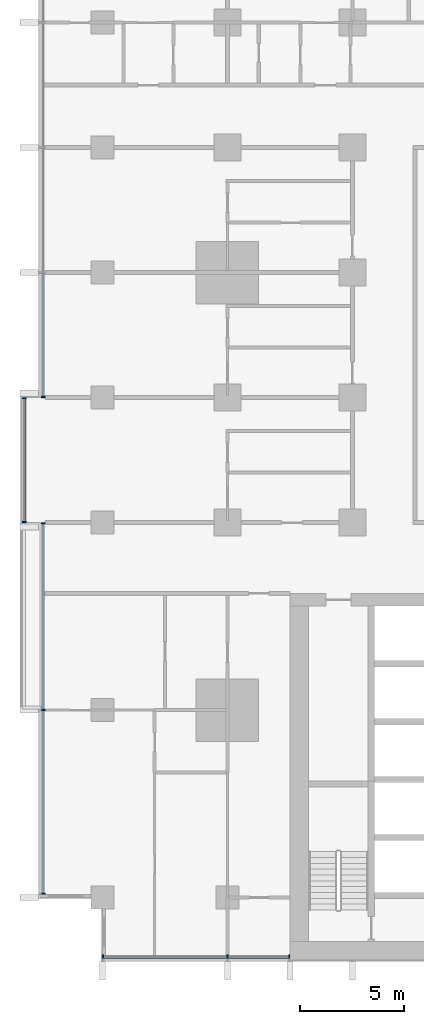
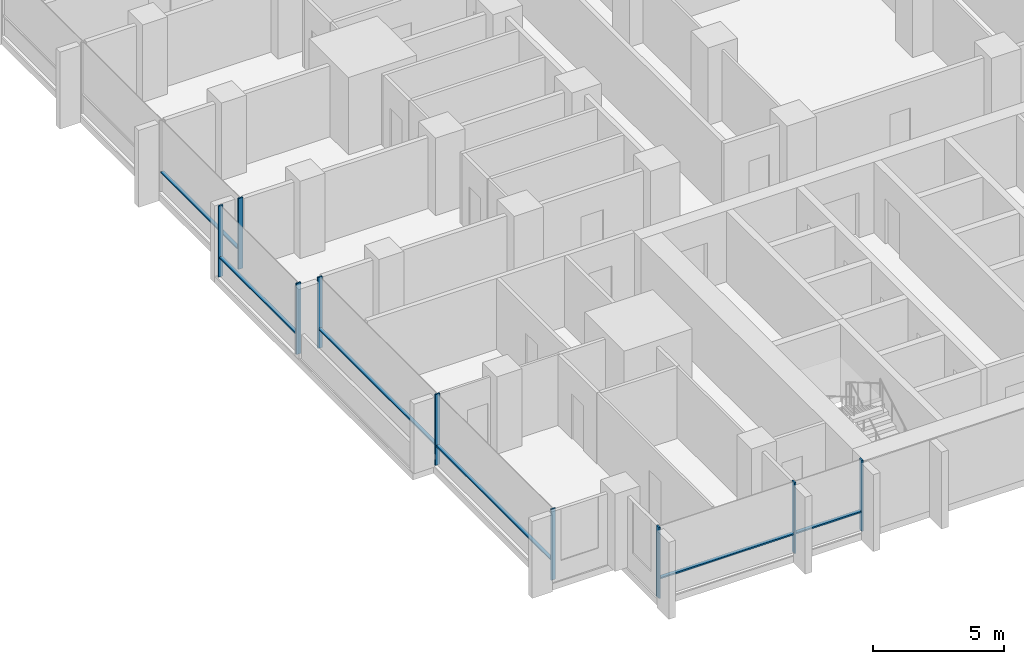
# One storey, part 2 of 17: 15 members, 4 elements without a shape of their own.
"""IFC4 building model written with IfcOpenShell, lengths in metres."""

from ifc_helpers import new_model, si_unit, direction, frame, origin, origin_2d, place, context, subcontext, project, spatial, rectangle, extrude, material, material_profile, profile_set, type_object, element, aggregate, save


model = new_model("IFC4")

# Units and contexts
model_context = context("Model", 3, precision=1e-05, world=origin(), true_north=direction((0.0, 1.0)))
body_context = subcontext(model_context, "Body", "Model", "MODEL_VIEW")
ifc_project = project(units=[si_unit("LENGTHUNIT", "METRE"), si_unit("AREAUNIT", "SQUARE_METRE"), si_unit("VOLUMEUNIT", "CUBIC_METRE"), si_unit("PLANEANGLEUNIT", "RADIAN"), si_unit("MASSUNIT", "GRAM", prefix="KILO")], contexts=[model_context])

# Site, building, storey
site_placement = place(None, origin())
site = spatial("IfcSite", under=ifc_project, at=site_placement, CompositionType="ELEMENT")
building_placement = place(site_placement, origin())
building = spatial("IfcBuilding", under=site, at=building_placement, Name="Finial Court Residences", CompositionType="ELEMENT")
storey_placement = place(building_placement, frame((0.0, 0.0, 64.89990234375)))
storey = spatial("IfcBuildingStorey", under=building, at=storey_placement, Name="L15", CompositionType="ELEMENT", Elevation=64.89990234375)

# Curtain wall, members
ifc_material = material(Name="Bronze anodised aluminium", Category="aluminium")
curtain_wall_type = type_object("IfcCurtainWallType", Name="Unitised curtain wall, lower and middle zones", PredefinedType="NOTDEFINED", material=ifc_material)
curtain_wall_1_placement = place(storey_placement, origin())
curtain_wall_1 = element("IfcCurtainWall", 1, at=curtain_wall_1_placement, inside=storey, type_object=curtain_wall_type, Name="E-L15-CW-S8", PredefinedType="NOTDEFINED")
ifc_material_profile_1 = material_profile(ifc_material, rectangle(XDim=0.199951171875, YDim=0.06494140625, at=origin_2d()), Name="CW1 mullion 65 x 200")
ifc_profile_set_1 = profile_set([ifc_material_profile_1], Name="Bronze anodised aluminium")
member_type_1 = type_object("IfcMemberType", Name="CW1 mullion 65 x 200", PredefinedType="MULLION", material=ifc_profile_set_1)
member_1_placement = place(storey_placement, frame((-22.467529296875, -25.35009765625, 0.0), z_axis=(0.0, 0.0, 1.0), x_axis=(0.0, 1.0, 0.0)))
member_1 = element("IfcMember", 2, at=member_1_placement, type_object=member_type_1, Name="CW1 mullion 1", PredefinedType="MULLION", context=body_context, shape_type="SweptSolid", body=[
    extrude(rectangle(XDim=0.199951171875, YDim=0.06494140625, at=origin_2d()), origin(), (0.0, 0.0, 1.0), 3.300048828125),
])
member_2_placement = place(storey_placement, frame((-16.5, -25.35009765625, 0.0), z_axis=(0.0, 0.0, 1.0), x_axis=(0.0, 1.0, 0.0)))
member_2 = element("IfcMember", 3, at=member_2_placement, type_object=member_type_1, Name="CW1 mullion 2", PredefinedType="MULLION", context=body_context, shape_type="SweptSolid", body=[
    extrude(rectangle(XDim=0.199951171875, YDim=0.06494140625, at=origin_2d()), origin(), (0.0, 0.0, 1.0), 3.300048828125),
])
member_3_placement = place(storey_placement, frame((-13.532470703125, -25.35009765625, 0.0), z_axis=(0.0, 0.0, 1.0), x_axis=(0.0, 1.0, 0.0)))
member_3 = element("IfcMember", 4, at=member_3_placement, type_object=member_type_1, Name="CW1 mullion 3", PredefinedType="MULLION", context=body_context, shape_type="SweptSolid", body=[
    extrude(rectangle(XDim=0.199951171875, YDim=0.06494140625, at=origin_2d()), origin(), (0.0, 0.0, 1.0), 3.300048828125),
])

curtain_wall_2_placement = place(storey_placement, origin())
curtain_wall_2 = element("IfcCurtainWall", 5, at=curtain_wall_2_placement, inside=storey, type_object=curtain_wall_type, Name="E-L15-CW-W10", PredefinedType="NOTDEFINED")
member_4_placement = place(storey_placement, frame((-25.35009765625, -22.3173828125, 0.0), z_axis=(0.0, 0.0, 1.0), x_axis=(-1.0, 0.0, 0.0)))
member_4 = element("IfcMember", 6, at=member_4_placement, type_object=member_type_1, Name="CW1 mullion 1", PredefinedType="MULLION", context=body_context, shape_type="SweptSolid", body=[
    extrude(rectangle(XDim=0.199951171875, YDim=0.06494140625, at=origin_2d()), origin(), (0.0, 0.0, 1.0), 3.300048828125),
])
member_5_placement = place(storey_placement, frame((-25.35009765625, -13.5, 0.0), z_axis=(0.0, 0.0, 1.0), x_axis=(-1.0, 0.0, 0.0)))
member_5 = element("IfcMember", 7, at=member_5_placement, type_object=member_type_1, Name="CW1 mullion 2", PredefinedType="MULLION", context=body_context, shape_type="SweptSolid", body=[
    extrude(rectangle(XDim=0.199951171875, YDim=0.06494140625, at=origin_2d()), origin(), (0.0, 0.0, 1.0), 3.300048828125),
])
member_6_placement = place(storey_placement, frame((-25.35009765625, -4.532470703125, 0.0), z_axis=(0.0, 0.0, 1.0), x_axis=(-1.0, 0.0, 0.0)))
member_6 = element("IfcMember", 8, at=member_6_placement, type_object=member_type_1, Name="CW1 mullion 3", PredefinedType="MULLION", context=body_context, shape_type="SweptSolid", body=[
    extrude(rectangle(XDim=0.199951171875, YDim=0.06494140625, at=origin_2d()), origin(), (0.0, 0.0, 1.0), 3.300048828125),
])

curtain_wall_3_placement = place(storey_placement, origin())
curtain_wall_3 = element("IfcCurtainWall", 9, at=curtain_wall_3_placement, inside=storey, type_object=curtain_wall_type, Name="E-L15-CW-W11", PredefinedType="NOTDEFINED")
member_7_placement = place(storey_placement, frame((-26.25, -4.467529296875, 0.0), z_axis=(0.0, 0.0, 1.0), x_axis=(-1.0, 0.0, 0.0)))
member_7 = element("IfcMember", 10, at=member_7_placement, type_object=member_type_1, Name="CW1 mullion 1", PredefinedType="MULLION", context=body_context, shape_type="SweptSolid", body=[
    extrude(rectangle(XDim=0.199951171875, YDim=0.06494140625, at=origin_2d()), origin(), (0.0, 0.0, 1.0), 3.300048828125),
])
member_8_placement = place(storey_placement, frame((-26.25, 1.467529296875, 0.0), z_axis=(0.0, 0.0, 1.0), x_axis=(-1.0, 0.0, 0.0)))
member_8 = element("IfcMember", 11, at=member_8_placement, type_object=member_type_1, Name="CW1 mullion 2", PredefinedType="MULLION", context=body_context, shape_type="SweptSolid", body=[
    extrude(rectangle(XDim=0.199951171875, YDim=0.06494140625, at=origin_2d()), origin(), (0.0, 0.0, 1.0), 3.300048828125),
])

# Curtain wall, member
curtain_wall_4_placement = place(storey_placement, origin())
curtain_wall_4 = element("IfcCurtainWall", 12, at=curtain_wall_4_placement, inside=storey, type_object=curtain_wall_type, Name="E-L15-CW-W12", PredefinedType="NOTDEFINED")
member_9_placement = place(storey_placement, frame((-25.35009765625, 1.532470703125, 0.0), z_axis=(0.0, 0.0, 1.0), x_axis=(-1.0, 0.0, 0.0)))
member_9 = element("IfcMember", 13, at=member_9_placement, type_object=member_type_1, Name="CW1 mullion 1", PredefinedType="MULLION", context=body_context, shape_type="SweptSolid", body=[
    extrude(rectangle(XDim=0.199951171875, YDim=0.06494140625, at=origin_2d()), origin(), (0.0, 0.0, 1.0), 3.300048828125),
])

# Member
ifc_material_profile_2 = material_profile(ifc_material, rectangle(XDim=0.14990234375, YDim=0.06494140625, at=origin_2d()), Name="CW1 transom 65 x 150")
ifc_profile_set_2 = profile_set([ifc_material_profile_2], Name="Bronze anodised aluminium")
member_type_2 = type_object("IfcMemberType", Name="CW1 transom 65 x 150", PredefinedType="USERDEFINED", material=ifc_profile_set_2)
member_10_placement = place(storey_placement, frame((-22.43505859375, -25.35009765625, 0.900146484375), z_axis=(1.0, 0.0, 0.0), x_axis=(0.0, 1.0, 0.0)))
member_10 = element("IfcMember", 14, at=member_10_placement, type_object=member_type_2, Name="CW1 transom 1.1", ObjectType="TRANSOM", PredefinedType="USERDEFINED", context=body_context, shape_type="SweptSolid", body=[
    extrude(rectangle(XDim=0.14990234375, YDim=0.06494140625, at=origin_2d()), origin(), (0.0, 0.0, 1.0), 5.902587890625),
])

member_11_placement = place(storey_placement, frame((-16.467529296875, -25.35009765625, 0.900146484375), z_axis=(1.0, 0.0, 0.0), x_axis=(0.0, 1.0, 0.0)))
member_11 = element("IfcMember", 15, at=member_11_placement, type_object=member_type_2, Name="CW1 transom 2.1", ObjectType="TRANSOM", PredefinedType="USERDEFINED", context=body_context, shape_type="SweptSolid", body=[
    extrude(rectangle(XDim=0.14990234375, YDim=0.06494140625, at=origin_2d()), origin(), (0.0, 0.0, 1.0), 2.902587890625),
])

aggregate(curtain_wall_1, [member_1, member_2, member_3, member_10, member_11])

member_12_placement = place(storey_placement, frame((-25.35009765625, -22.284912109375, 0.900146484375), z_axis=(0.0, 1.0, 0.0), x_axis=(-1.0, 0.0, 0.0)))
member_12 = element("IfcMember", 16, at=member_12_placement, type_object=member_type_2, Name="CW1 transom 1.1", ObjectType="TRANSOM", PredefinedType="USERDEFINED", context=body_context, shape_type="SweptSolid", body=[
    extrude(rectangle(XDim=0.14990234375, YDim=0.06494140625, at=origin_2d()), origin(), (0.0, 0.0, 1.0), 8.75244140625),
])

member_13_placement = place(storey_placement, frame((-25.35009765625, -13.467529296875, 0.900146484375), z_axis=(0.0, 1.0, 0.0), x_axis=(-1.0, 0.0, 0.0)))
member_13 = element("IfcMember", 17, at=member_13_placement, type_object=member_type_2, Name="CW1 transom 2.1", ObjectType="TRANSOM", PredefinedType="USERDEFINED", context=body_context, shape_type="SweptSolid", body=[
    extrude(rectangle(XDim=0.14990234375, YDim=0.06494140625, at=origin_2d()), origin(), (0.0, 0.0, 1.0), 8.902587890625),
])

aggregate(curtain_wall_2, [member_4, member_5, member_6, member_12, member_13])

member_14_placement = place(storey_placement, frame((-26.25, -4.43505859375, 0.900146484375), z_axis=(0.0, 1.0, 0.0), x_axis=(-1.0, 0.0, 0.0)))
member_14 = element("IfcMember", 18, at=member_14_placement, type_object=member_type_2, Name="CW1 transom 1.1", ObjectType="TRANSOM", PredefinedType="USERDEFINED", context=body_context, shape_type="SweptSolid", body=[
    extrude(rectangle(XDim=0.14990234375, YDim=0.06494140625, at=origin_2d()), origin(), (0.0, 0.0, 1.0), 5.8701171875),
])

aggregate(curtain_wall_3, [member_7, member_8, member_14])

member_15_placement = place(storey_placement, frame((-25.35009765625, 1.56494140625, 0.900146484375), z_axis=(0.0, 1.0, 0.0), x_axis=(-1.0, 0.0, 0.0)))
member_15 = element("IfcMember", 19, at=member_15_placement, type_object=member_type_2, Name="CW1 transom 1.1", ObjectType="TRANSOM", PredefinedType="USERDEFINED", context=body_context, shape_type="SweptSolid", body=[
    extrude(rectangle(XDim=0.14990234375, YDim=0.06494140625, at=origin_2d()), origin(), (0.0, 0.0, 1.0), 5.902587890625),
])

aggregate(curtain_wall_4, [member_9, member_15])

save(model, "model.ifc")
